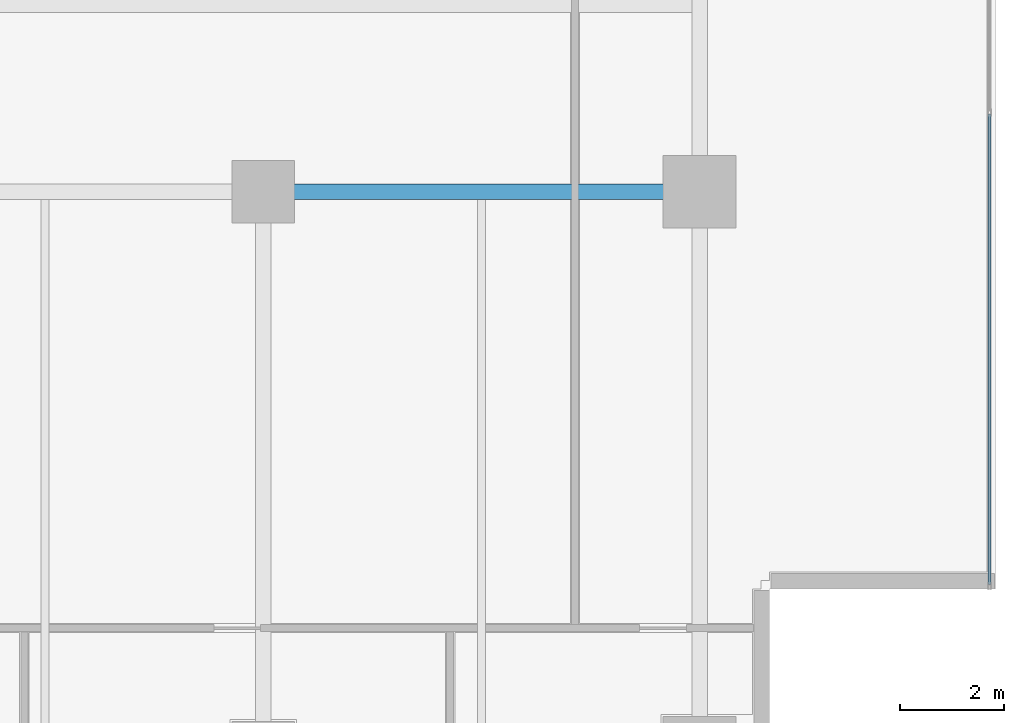
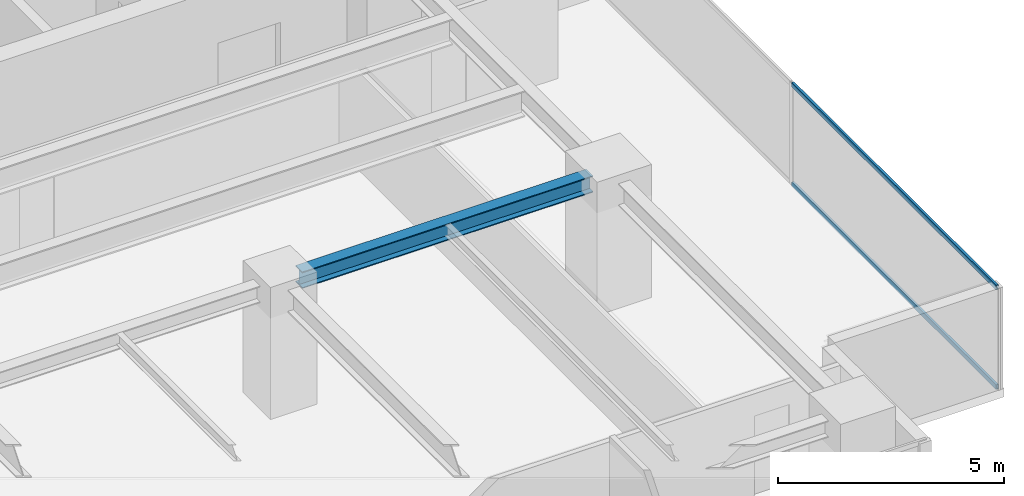
# One storey, part 12 of 25: 2 members, 1 beam, 1 element without a shape of its own.
"""IFC4 building model written with IfcOpenShell, lengths in metres."""

import ifcopenshell
import ifcopenshell.guid

model = None  # the IFC model being written
_history = None  # IfcOwnerHistory: only IFC2X3 demands one
_inside = {}  # id of a spatial element -> (the spatial element, [elements in it])
_under = {}  # id of a project, library or spatial element -> (it, [spatial elements below it])
_declared = {}  # id of a project -> (the project, [libraries it declares])
_typed = {}  # id of a type object -> (the type object, [elements of that type])
_made_of = {}  # id of a material, layer set ... -> (it, [elements and type objects made of it])


def new_model(schema):
    """Start an empty IFC model of exactly this schema.

    Asked for "IFC4X3", IfcOpenShell would pick the latest addendum, in which some entities
    have other attributes; the version numbers below select the first issue.
    IFC2X3 requires an IfcOwnerHistory on every rooted entity: one is made here for all.
    """
    global model, _history
    if schema == "IFC4X3":
        model = ifcopenshell.file(schema_version=(4, 3, 0, 0))
    else:
        model = ifcopenshell.file(schema=schema)
    _inside.clear()
    _under.clear()
    _declared.clear()
    _typed.clear()
    _made_of.clear()
    _history = None
    if model.schema == "IFC2X3":
        org = make("IfcOrganization", Name="unknown")
        user = make(
            "IfcPersonAndOrganization",
            ThePerson=make("IfcPerson", FamilyName="unknown"),
            TheOrganization=org,
        )
        app = make(
            "IfcApplication",
            ApplicationDeveloper=org,
            Version="unknown",
            ApplicationFullName="unknown",
            ApplicationIdentifier="unknown",
        )
        _history = make(
            "IfcOwnerHistory",
            OwningUser=user,
            OwningApplication=app,
            ChangeAction="ADDED",
            CreationDate=0,
        )
    return model


def make(cls, **values):
    """One entity of the class cls with the attributes given. An attribute that is None is left unset."""
    return model.create_entity(
        cls, **{name: value for name, value in values.items() if value is not None}
    )


def rooted(cls, **values):
    """An entity with a GlobalId (a new one), such as an element, a storey or a relation."""
    return make(cls, GlobalId=ifcopenshell.guid.new(), OwnerHistory=_history, **values)


def si_unit(unit_type, name, prefix=None):
    """IfcSIUnit, for example si_unit("LENGTHUNIT", "METRE", prefix="MILLI")."""
    return make("IfcSIUnit", UnitType=unit_type, Prefix=prefix, Name=name)


def assignment(units):
    """IfcUnitAssignment: the units of a project."""
    return None if units is None else make("IfcUnitAssignment", Units=units)


def point(xyz):
    """IfcCartesianPoint."""
    return None if xyz is None else make("IfcCartesianPoint", Coordinates=xyz)


def direction(xyz):
    """IfcDirection."""
    return None if xyz is None else make("IfcDirection", DirectionRatios=xyz)


def frame(location, z_axis=None, x_axis=None):
    """IfcAxis2Placement3D, a coordinate frame: its origin and axes. An axis left out is left unset."""
    return make(
        "IfcAxis2Placement3D",
        Location=point(location),
        Axis=direction(z_axis),
        RefDirection=direction(x_axis),
    )


def frame_2d(location, x_axis=None):
    """IfcAxis2Placement2D, a coordinate frame in the plane: its origin and x axis."""
    return make(
        "IfcAxis2Placement2D", Location=point(location), RefDirection=direction(x_axis)
    )


def origin():
    """The frame at (0, 0, 0) with its axes left unset."""
    return frame((0.0, 0.0, 0.0))


def origin_2d():
    """The frame at (0, 0) in the plane with its x axis left unset."""
    return frame_2d((0.0, 0.0))


def place(relative_to, where):
    """IfcLocalPlacement: puts the frame where relative to a parent placement (None: the world)."""
    return make(
        "IfcLocalPlacement", PlacementRelTo=relative_to, RelativePlacement=where
    )


def context(
    kind, dimensions, precision=None, world=None, true_north=None, identifier=None
):
    """IfcGeometricRepresentationContext, for example the 3D "Model" context."""
    return make(
        "IfcGeometricRepresentationContext",
        ContextIdentifier=identifier,
        ContextType=kind,
        CoordinateSpaceDimension=dimensions,
        Precision=precision,
        WorldCoordinateSystem=world,
        TrueNorth=true_north,
    )


def subcontext(parent, identifier, kind, view, scale=None):
    """IfcGeometricRepresentationSubContext, for example "Body" below "Model"."""
    return make(
        "IfcGeometricRepresentationSubContext",
        ContextIdentifier=identifier,
        ContextType=kind,
        ParentContext=parent,
        TargetScale=scale,
        TargetView=view,
    )


def project(units=None, contexts=None):
    """IfcProject with its units and contexts."""
    return rooted(
        "IfcProject",
        Name="project",
        RepresentationContexts=contexts,
        UnitsInContext=assignment(units),
    )


def spatial(cls, under=None, at=None, **own):
    """A site, building, storey or space (cls), placed at a placement, below another one or the project."""
    s = rooted(cls, ObjectPlacement=at, **own)
    if under is not None:
        _under.setdefault(under.id(), (under, []))[1].append(s)
    return s


def profile(cls, at=None, kind="AREA", **sizes):
    """A parametric profile (cls). Its sizes go by their IFC names, for example OverallWidth=200.0."""
    return make(cls, ProfileType=kind, Position=at, **sizes)


def hollow_rectangle(**sizes):
    """IfcRectangleHollowProfileDef."""
    return profile("IfcRectangleHollowProfileDef", **sizes)


def i_section(**sizes):
    """IfcIShapeProfileDef."""
    return profile("IfcIShapeProfileDef", **sizes)


def extrude(swept, where, along, depth):
    """IfcExtrudedAreaSolid: the profile swept, set in the frame where, extruded along a direction by depth."""
    return make(
        "IfcExtrudedAreaSolid",
        SweptArea=swept,
        Position=where,
        ExtrudedDirection=direction(along),
        Depth=depth,
    )


def shape(context_of_items, identifier, shape_type, items):
    """IfcShapeRepresentation: the items that make up one representation, for example the "Body"."""
    return make(
        "IfcShapeRepresentation",
        ContextOfItems=context_of_items,
        RepresentationIdentifier=identifier,
        RepresentationType=shape_type,
        Items=items,
    )


def source(mapping_origin, context_of_items, identifier, shape_type, items):
    """IfcRepresentationMap: a shape defined once, which mapped items show again and again."""
    return make(
        "IfcRepresentationMap",
        MappingOrigin=mapping_origin,
        MappedRepresentation=shape(context_of_items, identifier, shape_type, items),
    )


def transform(
    local_origin,
    x_axis=None,
    y_axis=None,
    z_axis=None,
    scale=None,
    scale2=None,
    scale3=None,
    uniform=True,
):
    """IfcCartesianTransformationOperator3D, or its non-uniform kind. x_axis, y_axis, z_axis: its Axis1, 2, 3."""
    if uniform:
        return make(
            "IfcCartesianTransformationOperator3D",
            Axis1=direction(x_axis),
            Axis2=direction(y_axis),
            LocalOrigin=point(local_origin),
            Scale=scale,
            Axis3=direction(z_axis),
        )
    return make(
        "IfcCartesianTransformationOperator3DnonUniform",
        Axis1=direction(x_axis),
        Axis2=direction(y_axis),
        LocalOrigin=point(local_origin),
        Scale=scale,
        Axis3=direction(z_axis),
        Scale2=scale2,
        Scale3=scale3,
    )


def mapped(mapping_source, mapping_target):
    """IfcMappedItem: shows the shape of a source again, moved by a transform."""
    return make(
        "IfcMappedItem", MappingSource=mapping_source, MappingTarget=mapping_target
    )


def material(Name=None, Category=None):
    """IfcMaterial."""
    return make("IfcMaterial", Name=Name, Category=Category)


def layer(
    of_material, thickness, ventilated=None, Name=None, Category=None, Priority=None
):
    """IfcMaterialLayer: one layer of a wall or slab, of a material (None: an air gap)."""
    return make(
        "IfcMaterialLayer",
        Material=of_material,
        LayerThickness=thickness,
        IsVentilated=ventilated,
        Name=Name,
        Category=Category,
        Priority=Priority,
    )


def layer_set(layers, Name=None):
    """IfcMaterialLayerSet."""
    return make("IfcMaterialLayerSet", MaterialLayers=layers, LayerSetName=Name)


def material_profile(
    of_material, cross_section, Name=None, Category=None, Priority=None
):
    """IfcMaterialProfile: a cross section and its material."""
    return make(
        "IfcMaterialProfile",
        Name=Name,
        Material=of_material,
        Profile=cross_section,
        Priority=Priority,
        Category=Category,
    )


def profile_set(profiles, Name=None, composite=None):
    """IfcMaterialProfileSet."""
    return make(
        "IfcMaterialProfileSet",
        Name=Name,
        MaterialProfiles=profiles,
        CompositeProfile=composite,
    )


def made_of(thing, what):
    """Note that an element or type object is made of a material, layer set ...; save() writes the relation."""
    if what is not None:
        _made_of.setdefault(what.id(), (what, []))[1].append(thing)
    return thing


def type_object(cls, material=None, **own):
    """A type object (cls), such as IfcWallType, which elements share."""
    return made_of(rooted(cls, **own), material)


def element(
    cls,
    number,
    at=None,
    inside=None,
    cuts=None,
    type_object=None,
    material=None,
    context=None,
    identifier="Body",
    shape_type=None,
    held_by="IfcProductDefinitionShape",
    body=None,
    shapes=None,
    **own,
):
    """One element of the class cls, such as IfcWall. Its Tag is "e" and its number.

    at: its placement. inside: the storey or other place that contains it. cuts: it is an
    opening in that element (IfcRelVoidsElement). A single representation is given by context,
    identifier, shape_type and body (its items); several are given by shapes. held_by: the class
    of the entity that holds the representations. save() writes the other relations.
    """
    e = rooted(cls, Tag="e%d" % number, ObjectPlacement=at, **own)
    if body is not None:
        shapes = [shape(context, identifier, shape_type, body)]
    if shapes is not None:
        e.Representation = make(held_by, Representations=shapes)
    if inside is not None:
        _inside.setdefault(inside.id(), (inside, []))[1].append(e)
    if cuts is not None:
        rooted(
            "IfcRelVoidsElement", RelatingBuildingElement=cuts, RelatedOpeningElement=e
        )
    if type_object is not None:
        _typed.setdefault(type_object.id(), (type_object, []))[1].append(e)
    return made_of(e, material)


def aggregate(whole, parts):
    """IfcRelAggregates: a whole, such as a stair, and the parts it consists of."""
    return rooted("IfcRelAggregates", RelatingObject=whole, RelatedObjects=parts)


def save(model, path):
    """Write the relations noted so far, then the file.

    IfcRelAggregates (storeys below a building ...), IfcRelContainedInSpatialStructure (elements
    in a storey), IfcRelDefinesByType, IfcRelAssociatesMaterial and IfcRelDeclares: one each for
    every whole, place, type object, material and project.
    """
    for whole, parts in _under.values():
        aggregate(whole, parts)
    for where, things in _inside.values():
        rooted(
            "IfcRelContainedInSpatialStructure",
            RelatedElements=things,
            RelatingStructure=where,
        )
    for kind, things in _typed.values():
        rooted("IfcRelDefinesByType", RelatedObjects=things, RelatingType=kind)
    for what, things in _made_of.values():
        rooted("IfcRelAssociatesMaterial", RelatedObjects=things, RelatingMaterial=what)
    for by, libraries in _declared.values():
        rooted("IfcRelDeclares", RelatingContext=by, RelatedDefinitions=libraries)
    model.write(path)


model = new_model("IFC4")

# Units and contexts
model_context = context("Model", 3, precision=1e-05, world=origin(), true_north=direction((0.0, 1.0)))
body_context = subcontext(model_context, "Body", "Model", "MODEL_VIEW")
ifc_project = project(units=[si_unit("LENGTHUNIT", "METRE"), si_unit("AREAUNIT", "SQUARE_METRE"), si_unit("VOLUMEUNIT", "CUBIC_METRE"), si_unit("PLANEANGLEUNIT", "RADIAN"), si_unit("MASSUNIT", "GRAM", prefix="KILO")], contexts=[model_context])

# Site, building, storey
site_placement = place(None, origin())
site = spatial("IfcSite", under=ifc_project, at=site_placement, CompositionType="ELEMENT")
building_placement = place(site_placement, origin())
building = spatial("IfcBuilding", under=site, at=building_placement, Name="Sumidabori Civic Tower", CompositionType="ELEMENT")
storey_placement = place(building_placement, frame((0.0, 0.0, 239.60009765625)))
storey = spatial("IfcBuildingStorey", under=building, at=storey_placement, Name="L62", CompositionType="ELEMENT", Elevation=239.60009765625)

# Beam
ifc_material_1 = material(Name="Steel SN490", Category="steel")
ifc_material_profile_1 = material_profile(ifc_material_1, i_section(OverallWidth=0.300048828125, OverallDepth=0.449951171875, WebThickness=0.013916015625, FlangeThickness=0.02587890625, at=origin_2d()), Name="HE 450 B")
ifc_profile_set_1 = profile_set([ifc_material_profile_1], Name="Steel SN490")
beam_type = type_object("IfcBeamType", Name="BM-GIRD-450", PredefinedType="BEAM", material=ifc_profile_set_1)
shared_shape_1 = source(origin(), body_context, "Body", "SweptSolid", [
    extrude(i_section(OverallWidth=0.300048828125, OverallDepth=0.449951171875, WebThickness=0.013916015625, FlangeThickness=0.02587890625, at=origin_2d()), origin(), (0.0, 0.0, 1.0), 7.440185546875),
])
beam_placement = place(storey_placement, frame((8.8798828125, 0.0, 3.14501953125), z_axis=(1.0, 0.0, 0.0), x_axis=(0.0, 1.0, 0.0)))
element("IfcBeam", 1, at=beam_placement, inside=storey, type_object=beam_type, Name="Primary Girder L62 GX-08", PredefinedType="BEAM", context=body_context, shape_type="MappedRepresentation", body=[
    mapped(shared_shape_1, transform((0.0, 0.0, 0.0), x_axis=(1.0, 0.0, 0.0), y_axis=(0.0, 1.0, 0.0), z_axis=(0.0, 0.0, 1.0), scale=1.0)),
])

# Curtain wall, members
ifc_material_2 = material(Name="Anodised Bronze Aluminium AW-6063-T6", Category="aluminium")
ifc_layer = layer(ifc_material_2, 0.179931640625, Name="Anodised Bronze Aluminium AW-6063-T6")
ifc_layer_set = layer_set([ifc_layer], Name="Anodised Bronze Aluminium AW-6063-T6")
curtain_wall_type = type_object("IfcCurtainWallType", Name="CW-SYS-5", PredefinedType="NOTDEFINED", material=ifc_layer_set)
curtain_wall_placement = place(storey_placement, origin())
curtain_wall = element("IfcCurtainWall", 2, at=curtain_wall_placement, inside=storey, type_object=curtain_wall_type, Name="Curtain Wall CW:L62:R04", PredefinedType="NOTDEFINED")
ifc_material_profile_2 = material_profile(ifc_material_2, hollow_rectangle(XDim=0.06005859375, YDim=0.1298828125, WallThickness=0.0048828125, at=origin_2d()), Name="ALU TRANSOM 130x60")
ifc_profile_set_2 = profile_set([ifc_material_profile_2], Name="Anodised Bronze Aluminium AW-6063-T6")
member_type = type_object("IfcMemberType", Name="CW-TRN-130", PredefinedType="USERDEFINED", material=ifc_profile_set_2)
shared_shape_2 = source(origin(), body_context, "Body", "SweptSolid", [
    extrude(hollow_rectangle(XDim=0.06005859375, YDim=0.1298828125, WallThickness=0.0048828125, at=origin_2d()), origin(), (0.0, 0.0, 1.0), 9.056640625),
])
member_1_placement = place(storey_placement, frame((22.3798828125, -7.56005859375, 0.02978515625), z_axis=(0.0, 1.0, 0.0), x_axis=(-1.0, 0.0, 0.0)))
member_1 = element("IfcMember", 3, at=member_1_placement, type_object=member_type, Name="CW-5 transom 1.1", ObjectType="TRANSOM", PredefinedType="USERDEFINED", context=body_context, shape_type="MappedRepresentation", body=[
    mapped(shared_shape_2, transform((0.0, 0.0, 0.0), x_axis=(1.0, 0.0, 0.0), y_axis=(0.0, 1.0, 0.0), z_axis=(0.0, 0.0, 1.0), scale=1.0)),
])
member_2_placement = place(storey_placement, frame((22.3798828125, -7.56005859375, 2.719970703125), z_axis=(0.0, 1.0, 0.0), x_axis=(-1.0, 0.0, 0.0)))
member_2 = element("IfcMember", 4, at=member_2_placement, type_object=member_type, Name="CW-5 transom 1.2", ObjectType="TRANSOM", PredefinedType="USERDEFINED", context=body_context, shape_type="MappedRepresentation", body=[
    mapped(shared_shape_2, transform((0.0, 0.0, 0.0), x_axis=(1.0, 0.0, 0.0), y_axis=(0.0, 1.0, 0.0), z_axis=(0.0, 0.0, 1.0), scale=1.0)),
])
aggregate(curtain_wall, [member_1, member_2])

save(model, "model.ifc")
